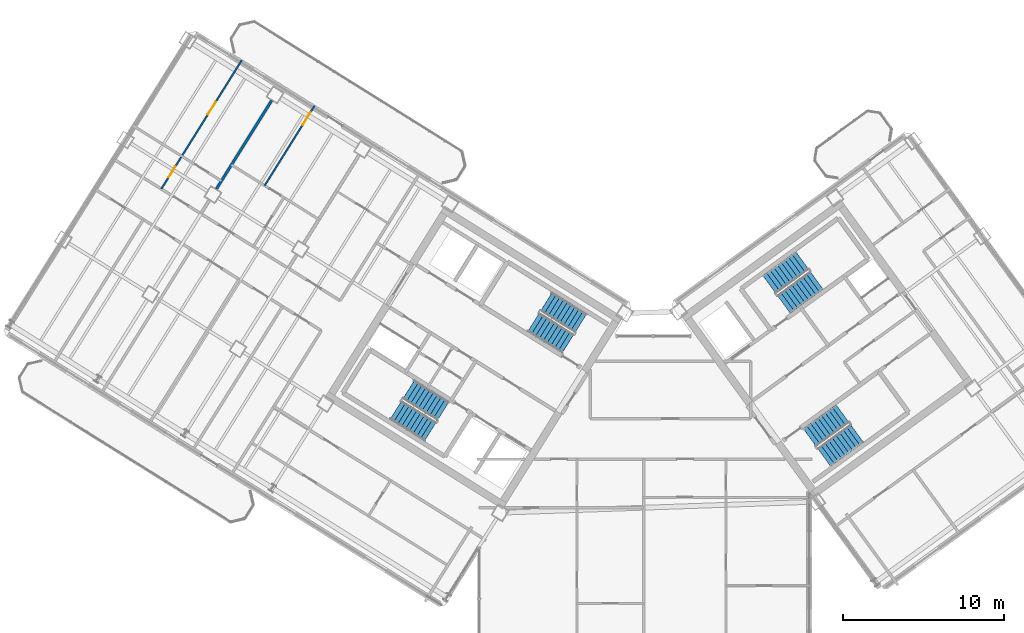
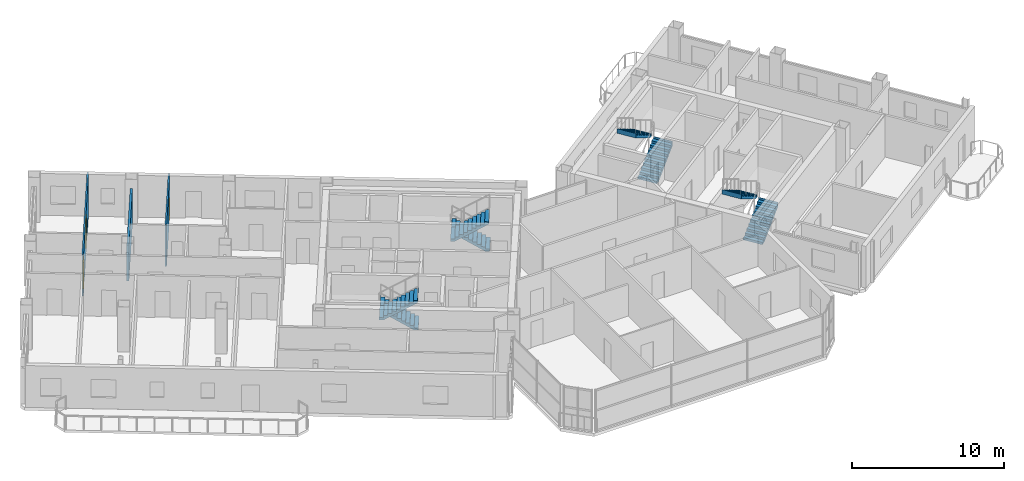
# One storey, part 21 of 29: 8 stair flights, 3 doors, 3 walls, 3 openings, 4 elements without a shape of their own.
"""IFC4 building model written with IfcOpenShell, lengths in metres."""

from ifc_helpers import new_model, si_unit, direction, frame, frame_2d, origin, place, context, subcontext, project, spatial, polyline, rectangle, outline, extrude, source, transform, mapped, material, layer, layer_set, type_object, element, fill, aggregate, save


model = new_model("IFC4")

# Units and contexts
model_context = context("Model", 3, precision=1e-05, world=origin(), true_north=direction((0.0, 1.0)))
body_context = subcontext(model_context, "Body", "Model", "MODEL_VIEW")
ifc_project = project(units=[si_unit("LENGTHUNIT", "METRE"), si_unit("AREAUNIT", "SQUARE_METRE"), si_unit("VOLUMEUNIT", "CUBIC_METRE"), si_unit("PLANEANGLEUNIT", "RADIAN"), si_unit("MASSUNIT", "GRAM", prefix="KILO")], contexts=[model_context])

# Site, building, storey
site_placement = place(None, origin())
site = spatial("IfcSite", under=ifc_project, at=site_placement, CompositionType="ELEMENT")
building_placement = place(site_placement, origin())
building = spatial("IfcBuilding", under=site, at=building_placement, Name="Tlacorven Tower", CompositionType="ELEMENT")
storey_placement = place(building_placement, frame((0.0, 0.0, 238.5)))
storey = spatial("IfcBuildingStorey", under=building, at=storey_placement, Name="L60", CompositionType="ELEMENT", Elevation=238.5)

# Wall
ifc_material_1 = material(Name="Gypsum plasterboard acoustic partition", Category="gypsum")
ifc_layer_1 = layer(ifc_material_1, 0.159912109375)
ifc_layer_set_1 = layer_set([ifc_layer_1], Name="Gypsum plasterboard acoustic partition")
wall_type_1 = type_object("IfcWallType", Name="WL-DEM-160", PredefinedType="PARTITIONING", material=ifc_layer_set_1)
wall_1_placement = place(storey_placement, frame((18.8544921875, 37.684814453125, 0.0), z_axis=(0.0, 0.0, 1.0), x_axis=(-0.529907440938, -0.848055484057, 0.0)))
element("IfcWall", 1, at=wall_1_placement, inside=storey, type_object=wall_type_1, Name="L60 WS Demising Wall 2", PredefinedType="PARTITIONING", context=body_context, shape_type="SweptSolid", body=[
    extrude(rectangle(XDim=6.475830078125, YDim=0.159912109375, at=frame_2d((3.23779296875, 0.0))), origin(), (0.0, 0.0, 1.0), 2.875),
])

# Wall, opening, door
ifc_material_2 = material(Name="Gypsum plasterboard partition", Category="gypsum")
ifc_layer_2 = layer(ifc_material_2, 0.110107421875)
ifc_layer_set_2 = layer_set([ifc_layer_2], Name="Gypsum plasterboard partition")
wall_type_2 = type_object("IfcWallType", Name="WL-INT-110", PredefinedType="PARTITIONING", material=ifc_layer_set_2)
wall_2_placement = place(storey_placement, frame((21.516845703125, 37.356201171875, 0.0), z_axis=(0.0, 0.0, 1.0), x_axis=(-0.529916267533, -0.848049968695, 0.0)))
wall_2 = element("IfcWall", 2, at=wall_2_placement, inside=storey, type_object=wall_type_2, Name="L60 partition 54", PredefinedType="PARTITIONING", context=body_context, shape_type="SweptSolid", body=[
    extrude(rectangle(XDim=5.840087890625, YDim=0.110107421875, at=frame_2d((2.919921875, 0.0))), origin(), (0.0, 0.0, 1.0), 3.340087890625),
])
opening_1_placement = place(wall_2_placement, frame((0.469970703125, 0.0, 0.0)))
opening_1 = element("IfcOpeningElement", 3, at=opening_1_placement, cuts=wall_2, Name="Opening D12", PredefinedType="OPENING", context=body_context, shape_type="SweptSolid", body=[
    extrude(rectangle(XDim=0.919921875, YDim=2.080078125, at=frame_2d((0.4599609375, 1.0400390625))), frame((0.0, 0.06494140625, 0.0), z_axis=(0.0, -1.0, 0.0), x_axis=(1.0, 0.0, 0.0)), (0.0, 0.0, 1.0), 0.130126953125),
])
ifc_material_3 = material(Name="Powder-coated aluminium and timber door", Category="wood")
door_type_1 = type_object("IfcDoorType", Name="DR-INT-ROOM-0920", OperationType="NOTDEFINED", PredefinedType="DOOR", material=ifc_material_3)
shared_shape_1 = source(origin(), body_context, "Body", "SweptSolid", [
    extrude(rectangle(XDim=0.919921875, YDim=2.080078125, at=frame_2d((0.4599609375, 1.0400390625))), frame((0.0, 0.02490234375, 0.0), z_axis=(0.0, -1.0, 0.0), x_axis=(1.0, 0.0, 0.0)), (0.0, 0.0, 1.0), 0.050048828125),
])
door_1_placement = place(opening_1_placement, origin())
door_1 = element("IfcDoor", 4, at=door_1_placement, inside=storey, type_object=door_type_1, Name="L60 door 030", OperationType="SINGLE_SWING_LEFT", OverallHeight=2.080078125, OverallWidth=0.919921875, PredefinedType="DOOR", context=body_context, shape_type="MappedRepresentation", body=[
    mapped(shared_shape_1, transform((0.0, 0.0, 0.0), scale=1.0)),
])
fill(opening_1, door_1)

# Wall, openings, doors
wall_3_placement = place(storey_placement, frame((16.9951171875, 40.181640625, 0.0), z_axis=(0.0, 0.0, 1.0), x_axis=(-0.529931378574, -0.848040526156, 0.0)))
wall_3 = element("IfcWall", 5, at=wall_3_placement, inside=storey, type_object=wall_type_2, Name="L60 partition 55", PredefinedType="PARTITIONING", context=body_context, shape_type="SweptSolid", body=[
    extrude(rectangle(XDim=9.419921875, YDim=0.110107421875, at=frame_2d((4.7099609375, 0.0))), origin(), (0.0, 0.0, 1.0), 3.340087890625),
])
opening_2_placement = place(wall_3_placement, frame((7.780029296875, 0.0, 0.0)))
opening_2 = element("IfcOpeningElement", 6, at=opening_2_placement, cuts=wall_3, Name="Opening D22", PredefinedType="OPENING", context=body_context, shape_type="SweptSolid", body=[
    extrude(rectangle(XDim=0.780029296875, YDim=2.050048828125, at=frame_2d((0.39013671875, 1.02490234375))), frame((0.0, 0.06494140625, 0.0), z_axis=(0.0, -1.0, 0.0), x_axis=(1.0, 0.0, 0.0)), (0.0, 0.0, 1.0), 0.130126953125),
])
opening_3_placement = place(wall_3_placement, frame((3.050048828125, 0.0, 0.0)))
opening_3 = element("IfcOpeningElement", 7, at=opening_3_placement, cuts=wall_3, Name="Opening D12", PredefinedType="OPENING", context=body_context, shape_type="SweptSolid", body=[
    extrude(rectangle(XDim=0.919921875, YDim=2.080078125, at=frame_2d((0.4599609375, 1.0400390625))), frame((0.0, 0.06494140625, 0.0), z_axis=(0.0, -1.0, 0.0), x_axis=(1.0, 0.0, 0.0)), (0.0, 0.0, 1.0), 0.130126953125),
])
door_type_2 = type_object("IfcDoorType", Name="DR-INT-WET-0780", OperationType="NOTDEFINED", PredefinedType="DOOR", material=ifc_material_3)
shared_shape_2 = source(origin(), body_context, "Body", "SweptSolid", [
    extrude(rectangle(XDim=0.780029296875, YDim=2.050048828125, at=frame_2d((0.39013671875, 1.02490234375))), frame((0.0, 0.02490234375, 0.0), z_axis=(0.0, -1.0, 0.0), x_axis=(1.0, 0.0, 0.0)), (0.0, 0.0, 1.0), 0.050048828125),
])
door_2_placement = place(opening_2_placement, origin())
door_2 = element("IfcDoor", 8, at=door_2_placement, inside=storey, type_object=door_type_2, Name="L60 door 037", OperationType="SINGLE_SWING_RIGHT", OverallHeight=2.050048828125, OverallWidth=0.780029296875, PredefinedType="DOOR", context=body_context, shape_type="MappedRepresentation", body=[
    mapped(shared_shape_2, transform((0.0, 0.0, 0.0), scale=1.0)),
])
fill(opening_2, door_2)
door_3_placement = place(opening_3_placement, origin())
door_3 = element("IfcDoor", 9, at=door_3_placement, inside=storey, type_object=door_type_1, Name="L60 door 038", OperationType="SINGLE_SWING_LEFT", OverallHeight=2.080078125, OverallWidth=0.919921875, PredefinedType="DOOR", context=body_context, shape_type="MappedRepresentation", body=[
    mapped(shared_shape_1, transform((0.0, 0.0, 0.0), scale=1.0)),
])
fill(opening_3, door_3)

# Stair, stair flights
ifc_material_4 = material(Name="Concrete C40/50", Category="concrete")
stair_type = type_object("IfcStairType", Name="ST-CORE-DLG", PredefinedType="HALF_TURN_STAIR", material=ifc_material_4)
stair_1_placement = place(storey_placement, origin())
stair_1 = element("IfcStair", 10, at=stair_1_placement, inside=storey, type_object=stair_type, Name="L60 Protected Exit Stair West 1", PredefinedType="HALF_TURN_STAIR")
stair_flight_type = type_object("IfcStairFlightType", Name="SFL-RC-1380", PredefinedType="STRAIGHT", material=ifc_material_4)
shared_shape_3 = source(origin(), body_context, "Body", "SweptSolid", [
    extrude(outline(polyline([(-0.0029296875, -0.0029296875), (-0.0029296875, 0.179931640625), (0.280029296875, 0.179931640625), (0.280029296875, 0.360107421875), (0.56005859375, 0.360107421875), (0.56005859375, 0.5400390625), (0.840087890625, 0.5400390625), (0.840087890625, 0.719970703125), (1.1201171875, 0.719970703125), (1.1201171875, 0.89990234375), (1.39990234375, 0.89990234375), (1.39990234375, 1.080078125), (1.679931640625, 1.080078125), (1.679931640625, 1.260009765625), (1.9599609375, 1.260009765625), (1.9599609375, 1.43994140625), (2.239990234375, 1.43994140625), (2.239990234375, 1.6201171875), (2.52001953125, 1.6201171875), (2.52001953125, 1.800048828125), (2.52294921875, 1.800048828125), (2.52294921875, 1.429931640625), (2.52001953125, 1.429931640625), (0.295654296875, 0.0), (0.295654296875, -0.0029296875), (-0.0029296875, -0.0029296875)])), frame((0.0, 0.68994140625, 0.0), z_axis=(0.0, -1.0, 0.0), x_axis=(1.0, 0.0, 0.0)), (0.0, 0.0, 1.0), 1.3798828125),
])
stair_flight_1_placement = place(storey_placement, frame((29.499755859375, 18.39453125, 0.0), z_axis=(0.0, 0.0, 1.0), x_axis=(-0.848048096156, 0.529919264233, 0.0)))
stair_flight_1 = element("IfcStairFlight", 11, at=stair_flight_1_placement, type_object=stair_flight_type, Name="ST-W1 flight 1", NumberOfRisers=10, NumberOfTreads=9, PredefinedType="STRAIGHT", RiserHeight=0.18, TreadLength=0.28, context=body_context, shape_type="MappedRepresentation", body=[
    mapped(shared_shape_3, transform((0.0, 0.0, 0.0), scale=1.0)),
])
stair_flight_2_placement = place(storey_placement, frame((26.56787109375, 18.4580078125, 1.800048828125), z_axis=(0.0, 0.0, 1.0), x_axis=(0.848048096156, -0.529919264233, 0.0)))
stair_flight_2 = element("IfcStairFlight", 12, at=stair_flight_2_placement, type_object=stair_flight_type, Name="ST-W1 flight 2", NumberOfRisers=10, NumberOfTreads=9, PredefinedType="STRAIGHT", RiserHeight=0.18, TreadLength=0.28, context=body_context, shape_type="MappedRepresentation", body=[
    mapped(shared_shape_3, transform((0.0, 0.0, 0.0), scale=1.0)),
])
aggregate(stair_1, [stair_flight_1, stair_flight_2])

stair_2_placement = place(storey_placement, origin())
stair_2 = element("IfcStair", 13, at=stair_2_placement, inside=storey, type_object=stair_type, Name="L60 Protected Exit Stair West 2", PredefinedType="HALF_TURN_STAIR")
stair_flight_3_placement = place(storey_placement, frame((38.051513671875, 23.852294921875, 0.0), z_axis=(0.0, 0.0, 1.0), x_axis=(-0.848048096156, 0.529919264233, 0.0)))
stair_flight_3 = element("IfcStairFlight", 14, at=stair_flight_3_placement, type_object=stair_flight_type, Name="ST-W2 flight 1", NumberOfRisers=10, NumberOfTreads=9, PredefinedType="STRAIGHT", RiserHeight=0.18, TreadLength=0.28, context=body_context, shape_type="MappedRepresentation", body=[
    mapped(shared_shape_3, transform((0.0, 0.0, 0.0), scale=1.0)),
])
stair_flight_4_placement = place(storey_placement, frame((35.119384765625, 23.91552734375, 1.800048828125), z_axis=(0.0, 0.0, 1.0), x_axis=(0.848048096156, -0.529919264233, 0.0)))
stair_flight_4 = element("IfcStairFlight", 15, at=stair_flight_4_placement, type_object=stair_flight_type, Name="ST-W2 flight 2", NumberOfRisers=10, NumberOfTreads=9, PredefinedType="STRAIGHT", RiserHeight=0.18, TreadLength=0.28, context=body_context, shape_type="MappedRepresentation", body=[
    mapped(shared_shape_3, transform((0.0, 0.0, 0.0), scale=1.0)),
])
aggregate(stair_2, [stair_flight_3, stair_flight_4])

stair_3_placement = place(storey_placement, origin())
stair_3 = element("IfcStair", 16, at=stair_3_placement, inside=storey, type_object=stair_type, Name="L60 Protected Exit Stair East 1", PredefinedType="HALF_TURN_STAIR")
stair_flight_5_placement = place(storey_placement, frame((50.6533203125, 25.0400390625, 0.0), z_axis=(0.0, 0.0, 1.0), x_axis=(0.809016994375, 0.587785252292, 0.0)))
stair_flight_5 = element("IfcStairFlight", 17, at=stair_flight_5_placement, type_object=stair_flight_type, Name="ST-E1 flight 1", NumberOfRisers=10, NumberOfTreads=9, PredefinedType="STRAIGHT", RiserHeight=0.18, TreadLength=0.28, context=body_context, shape_type="MappedRepresentation", body=[
    mapped(shared_shape_3, transform((0.0, 0.0, 0.0), scale=1.0)),
])
stair_flight_6_placement = place(storey_placement, frame((51.810546875, 27.734619140625, 1.800048828125), z_axis=(0.0, 0.0, 1.0), x_axis=(-0.809016994375, -0.587785252292, 0.0)))
stair_flight_6 = element("IfcStairFlight", 18, at=stair_flight_6_placement, type_object=stair_flight_type, Name="ST-E1 flight 2", NumberOfRisers=10, NumberOfTreads=9, PredefinedType="STRAIGHT", RiserHeight=0.18, TreadLength=0.28, context=body_context, shape_type="MappedRepresentation", body=[
    mapped(shared_shape_3, transform((0.0, 0.0, 0.0), scale=1.0)),
])
aggregate(stair_3, [stair_flight_5, stair_flight_6])

stair_4_placement = place(storey_placement, origin())
stair_4 = element("IfcStair", 19, at=stair_4_placement, inside=storey, type_object=stair_type, Name="L60 Protected Exit Stair East 2", PredefinedType="HALF_TURN_STAIR")
stair_flight_7_placement = place(storey_placement, frame((53.157470703125, 15.536865234375, 0.0), z_axis=(0.0, 0.0, 1.0), x_axis=(0.809016994375, 0.587785252292, 0.0)))
stair_flight_7 = element("IfcStairFlight", 20, at=stair_flight_7_placement, type_object=stair_flight_type, Name="ST-E2 flight 1", NumberOfRisers=10, NumberOfTreads=9, PredefinedType="STRAIGHT", RiserHeight=0.18, TreadLength=0.28, context=body_context, shape_type="MappedRepresentation", body=[
    mapped(shared_shape_3, transform((0.0, 0.0, 0.0), scale=1.0)),
])
stair_flight_8_placement = place(storey_placement, frame((54.314453125, 18.231689453125, 1.800048828125), z_axis=(0.0, 0.0, 1.0), x_axis=(-0.809016994375, -0.587785252292, 0.0)))
stair_flight_8 = element("IfcStairFlight", 21, at=stair_flight_8_placement, type_object=stair_flight_type, Name="ST-E2 flight 2", NumberOfRisers=10, NumberOfTreads=9, PredefinedType="STRAIGHT", RiserHeight=0.18, TreadLength=0.28, context=body_context, shape_type="MappedRepresentation", body=[
    mapped(shared_shape_3, transform((0.0, 0.0, 0.0), scale=1.0)),
])
aggregate(stair_4, [stair_flight_7, stair_flight_8])

save(model, "model.ifc")
